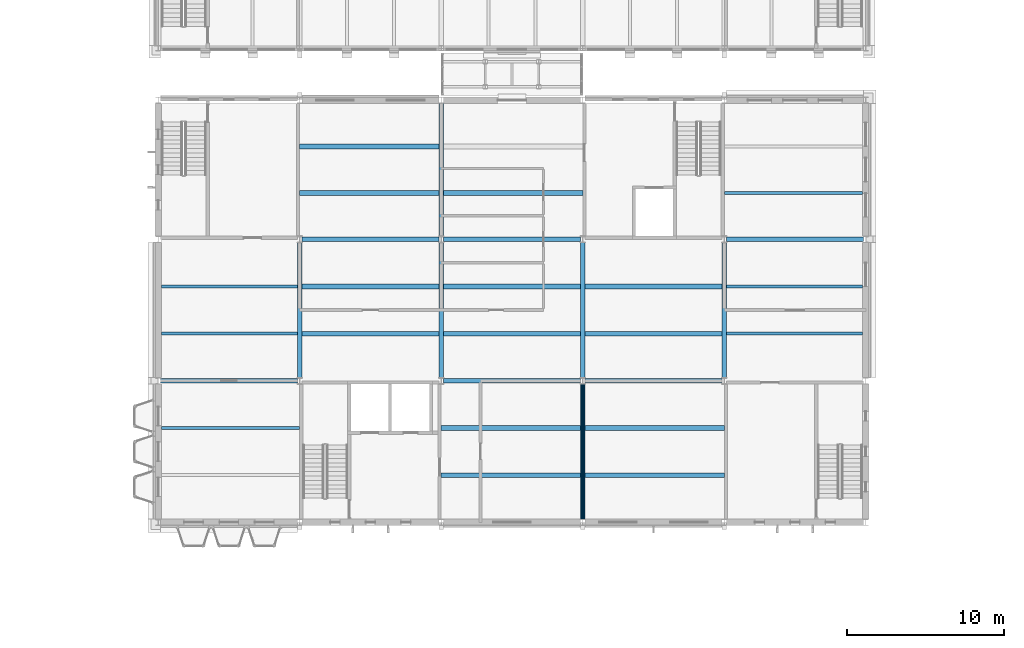
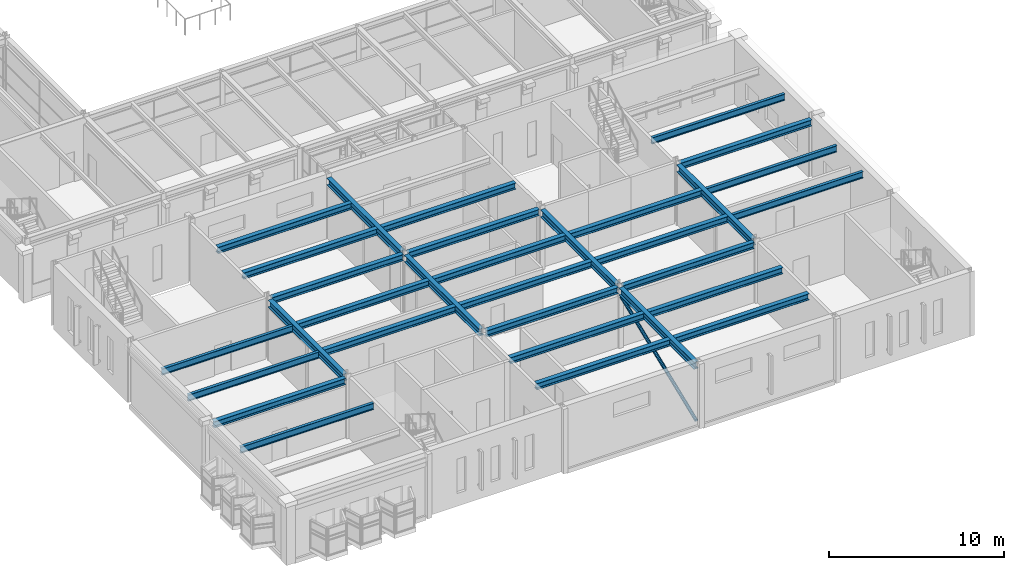
# One storey, part 29 of 153: 31 beams, 1 member.
"""IFC4 building model written with IfcOpenShell, lengths in metres."""

from ifc_helpers import new_model, si_unit, direction, frame, origin, origin_2d, place, context, subcontext, project, spatial, hollow_circle, i_section, extrude, material, material_profile, profile_set, type_object, element, save


model = new_model("IFC4")

# Units and contexts
model_context = context("Model", 3, precision=1e-05, world=origin(), true_north=direction((0.0, 1.0)))
body_context = subcontext(model_context, "Body", "Model", "MODEL_VIEW")
ifc_project = project(units=[si_unit("LENGTHUNIT", "METRE"), si_unit("AREAUNIT", "SQUARE_METRE"), si_unit("VOLUMEUNIT", "CUBIC_METRE"), si_unit("PLANEANGLEUNIT", "RADIAN"), si_unit("MASSUNIT", "GRAM", prefix="KILO")], contexts=[model_context])

# Site, building, storey
site_placement = place(None, origin())
site = spatial("IfcSite", under=ifc_project, at=site_placement, CompositionType="ELEMENT")
building_placement = place(site_placement, origin())
building = spatial("IfcBuilding", under=site, at=building_placement, Name="Kallimachos Central Library", CompositionType="ELEMENT")
storey_placement = place(building_placement, frame((0.0, 0.0, 5.39990234375)))
storey = spatial("IfcBuildingStorey", under=building, at=storey_placement, Name="L01", CompositionType="ELEMENT", Elevation=5.39990234375)

# Member
ifc_material_1 = material(Name="Steel S355J2H", Category="steel")
ifc_material_profile_1 = material_profile(ifc_material_1, hollow_circle(Radius=0.109619140625, WallThickness=0.012451171875, at=origin_2d()), Name="CHS 219.1x12.5")
ifc_profile_set_1 = profile_set([ifc_material_profile_1], Name="Steel S355J2H")
member_type = type_object("IfcMemberType", Name="CHS 219.1x12.5 brace", PredefinedType="BRACE", material=ifc_profile_set_1)
member_placement = place(storey_placement, frame((92.5, 18.199951171875, 0.150146484375), z_axis=(0.0, 0.92786574412, 0.372914414965), x_axis=(-1.0, 0.0, 0.0)))
element("IfcMember", 1, at=member_placement, inside=storey, type_object=member_type, Name="V5-MEM-L01-001", PredefinedType="BRACE", context=body_context, shape_type="SweptSolid", body=[
    extrude(hollow_circle(Radius=0.109619140625, WallThickness=0.012451171875, at=origin_2d()), origin(), (0.0, 0.0, 1.0), 9.251220703125),
])

# Beams
ifc_material_2 = material(Name="Steel S355J2", Category="steel")
ifc_material_profile_2 = material_profile(ifc_material_2, i_section(OverallWidth=0.300048828125, OverallDepth=0.43994140625, WebThickness=0.011474609375, FlangeThickness=0.02099609375, FilletRadius=0.027099609375, at=origin_2d()), Name="HEA 450")
ifc_profile_set_2 = profile_set([ifc_material_profile_2], Name="Steel S355J2")
beam_type_1 = type_object("IfcBeamType", Name="HEA 450 beam", PredefinedType="BEAM", material=ifc_profile_set_2)
beam_1_placement = place(storey_placement, frame((65.64990234375, 27.0, 3.97998046875), z_axis=(1.0, 0.0, 0.0), x_axis=(0.0, 1.0, 0.0)))
element("IfcBeam", 2, at=beam_1_placement, inside=storey, type_object=beam_type_1, Name="V5-BEM-L01-001", PredefinedType="BEAM", context=body_context, shape_type="SweptSolid", body=[
    extrude(i_section(OverallWidth=0.300048828125, OverallDepth=0.43994140625, WebThickness=0.011474609375, FlangeThickness=0.02099609375, FilletRadius=0.027099609375, at=origin_2d()), origin(), (0.0, 0.0, 1.0), 8.696533203125),
])
for number, where, z_axis, x_axis, name in (
    (3, (83.653564453125, 27.0, 4.030029296875), (1.0, 0.0, 0.0), (0.0, 1.0, 0.0), "V5-BEM-L01-002"),
    (4, (92.653564453125, 27.0, 4.030029296875), (1.0, 0.0, 0.0), (0.0, 1.0, 0.0), "V5-BEM-L01-003"),
    (5, (74.653564453125, 36.0, 4.030029296875), (1.0, 0.0, 0.0), (0.0, 1.0, 0.0), "V5-BEM-L01-004"),
    (6, (83.653564453125, 36.0, 4.030029296875), (1.0, 0.0, 0.0), (0.0, 1.0, 0.0), "V5-BEM-L01-005"),
):
    element("IfcBeam", number, at=place(storey_placement, frame(where, z_axis=z_axis, x_axis=x_axis)), inside=storey, type_object=beam_type_1, Name=name, PredefinedType="BEAM", context=body_context, shape_type="SweptSolid", body=[
        extrude(i_section(OverallWidth=0.300048828125, OverallDepth=0.43994140625, WebThickness=0.011474609375, FlangeThickness=0.02099609375, FilletRadius=0.027099609375, at=origin_2d()), origin(), (0.0, 0.0, 1.0), 8.69287109375),
    ])
beam_2_placement = place(storey_placement, frame((101.653564453125, 36.0, 3.97998046875), z_axis=(1.0, 0.0, 0.0), x_axis=(0.0, 1.0, 0.0)))
element("IfcBeam", 7, at=beam_2_placement, inside=storey, type_object=beam_type_1, Name="V5-BEM-L01-006", PredefinedType="BEAM", context=body_context, shape_type="SweptSolid", body=[
    extrude(i_section(OverallWidth=0.300048828125, OverallDepth=0.43994140625, WebThickness=0.011474609375, FlangeThickness=0.02099609375, FilletRadius=0.027099609375, at=origin_2d()), origin(), (0.0, 0.0, 1.0), 8.696533203125),
])
for number, where, z_axis, x_axis, name in (
    (8, (74.64990234375, 30.0, 4.030029296875), (1.0, 0.0, 0.0), (0.0, 1.0, 0.0), "V5-BEM-L01-017"),
    (9, (74.64990234375, 33.0, 4.030029296875), (1.0, 0.0, 0.0), (0.0, 1.0, 0.0), "V5-BEM-L01-018"),
):
    element("IfcBeam", number, at=place(storey_placement, frame(where, z_axis=z_axis, x_axis=x_axis)), inside=storey, type_object=beam_type_1, Name=name, PredefinedType="BEAM", context=body_context, shape_type="SweptSolid", body=[
        extrude(i_section(OverallWidth=0.300048828125, OverallDepth=0.43994140625, WebThickness=0.011474609375, FlangeThickness=0.02099609375, FilletRadius=0.027099609375, at=origin_2d()), origin(), (0.0, 0.0, 1.0), 8.7001953125),
    ])
for number, where, z_axis, x_axis, name in (
    (10, (74.5, 38.949951171875, 4.030029296875), (1.0, 0.0, 0.0), (0.0, 1.0, 0.0), "V5-BEM-L01-019"),
    (11, (74.5, 41.89990234375, 4.030029296875), (1.0, 0.0, 0.0), (0.0, 1.0, 0.0), "V5-BEM-L01-020"),
    (12, (83.5, 21.0, 4.030029296875), (1.0, 0.0, 0.0), (0.0, 1.0, 0.0), "V5-BEM-L01-021"),
    (13, (83.5, 24.0, 4.030029296875), (1.0, 0.0, 0.0), (0.0, 1.0, 0.0), "V5-BEM-L01-022"),
):
    element("IfcBeam", number, at=place(storey_placement, frame(where, z_axis=z_axis, x_axis=x_axis)), inside=storey, type_object=beam_type_1, Name=name, PredefinedType="BEAM", context=body_context, shape_type="SweptSolid", body=[
        extrude(i_section(OverallWidth=0.300048828125, OverallDepth=0.43994140625, WebThickness=0.011474609375, FlangeThickness=0.02099609375, FilletRadius=0.027099609375, at=origin_2d()), origin(), (0.0, 0.0, 1.0), 8.85009765625),
    ])
for number, where, z_axis, x_axis, name in (
    (14, (83.64990234375, 30.0, 4.030029296875), (1.0, 0.0, 0.0), (0.0, 1.0, 0.0), "V5-BEM-L01-023"),
    (15, (83.64990234375, 33.0, 4.030029296875), (1.0, 0.0, 0.0), (0.0, 1.0, 0.0), "V5-BEM-L01-024"),
):
    element("IfcBeam", number, at=place(storey_placement, frame(where, z_axis=z_axis, x_axis=x_axis)), inside=storey, type_object=beam_type_1, Name=name, PredefinedType="BEAM", context=body_context, shape_type="SweptSolid", body=[
        extrude(i_section(OverallWidth=0.300048828125, OverallDepth=0.43994140625, WebThickness=0.011474609375, FlangeThickness=0.02099609375, FilletRadius=0.027099609375, at=origin_2d()), origin(), (0.0, 0.0, 1.0), 8.7001953125),
    ])
for number, where, z_axis, x_axis, name in (
    (16, (83.64990234375, 38.949951171875, 4.030029296875), (1.0, 0.0, 0.0), (0.0, 1.0, 0.0), "V5-BEM-L01-025"),
    (17, (92.64990234375, 21.0, 4.030029296875), (1.0, 0.0, 0.0), (0.0, 1.0, 0.0), "V5-BEM-L01-027"),
    (18, (92.64990234375, 24.0, 4.030029296875), (1.0, 0.0, 0.0), (0.0, 1.0, 0.0), "V5-BEM-L01-028"),
):
    element("IfcBeam", number, at=place(storey_placement, frame(where, z_axis=z_axis, x_axis=x_axis)), inside=storey, type_object=beam_type_1, Name=name, PredefinedType="BEAM", context=body_context, shape_type="SweptSolid", body=[
        extrude(i_section(OverallWidth=0.300048828125, OverallDepth=0.43994140625, WebThickness=0.011474609375, FlangeThickness=0.02099609375, FilletRadius=0.027099609375, at=origin_2d()), origin(), (0.0, 0.0, 1.0), 8.85009765625),
    ])
for number, where, z_axis, x_axis, name in (
    (19, (92.64990234375, 30.0, 4.030029296875), (1.0, 0.0, 0.0), (0.0, 1.0, 0.0), "V5-BEM-L01-029"),
    (20, (92.64990234375, 33.0, 4.030029296875), (1.0, 0.0, 0.0), (0.0, 1.0, 0.0), "V5-BEM-L01-030"),
):
    element("IfcBeam", number, at=place(storey_placement, frame(where, z_axis=z_axis, x_axis=x_axis)), inside=storey, type_object=beam_type_1, Name=name, PredefinedType="BEAM", context=body_context, shape_type="SweptSolid", body=[
        extrude(i_section(OverallWidth=0.300048828125, OverallDepth=0.43994140625, WebThickness=0.011474609375, FlangeThickness=0.02099609375, FilletRadius=0.027099609375, at=origin_2d()), origin(), (0.0, 0.0, 1.0), 8.7001953125),
    ])
ifc_material_3 = material(Name="Steel S355J2", Category="steel")
ifc_material_profile_3 = material_profile(ifc_material_3, i_section(OverallWidth=0.300048828125, OverallDepth=0.5, WebThickness=0.014404296875, FlangeThickness=0.028076171875, FilletRadius=0.027099609375, at=origin_2d()), Name="HEB 500")
ifc_profile_set_3 = profile_set([ifc_material_profile_3], Name="Steel S355J2")
beam_type_2 = type_object("IfcBeamType", Name="HEB 500 beam", PredefinedType="BEAM", material=ifc_profile_set_3)
for number, where, z_axis, x_axis, name in (
    (21, (74.5, 27.216064453125, 4.0), (0.0, 1.0, 0.0), (-1.0, 0.0, 0.0), "V5-BEM-L01-007"),
    (22, (83.5, 27.216064453125, 4.0), (0.0, 1.0, 0.0), (-1.0, 0.0, 0.0), "V5-BEM-L01-008"),
):
    element("IfcBeam", number, at=place(storey_placement, frame(where, z_axis=z_axis, x_axis=x_axis)), inside=storey, type_object=beam_type_2, Name=name, PredefinedType="BEAM", context=body_context, shape_type="SweptSolid", body=[
        extrude(i_section(OverallWidth=0.300048828125, OverallDepth=0.5, WebThickness=0.014404296875, FlangeThickness=0.028076171875, FilletRadius=0.027099609375, at=origin_2d()), origin(), (0.0, 0.0, 1.0), 8.56787109375),
    ])
beam_3_placement = place(storey_placement, frame((83.5, 36.216064453125, 4.0), z_axis=(0.0, 1.0, 0.0), x_axis=(-1.0, 0.0, 0.0)))
element("IfcBeam", 23, at=beam_3_placement, inside=storey, type_object=beam_type_2, Name="V5-BEM-L01-009", PredefinedType="BEAM", context=body_context, shape_type="SweptSolid", body=[
    extrude(i_section(OverallWidth=0.300048828125, OverallDepth=0.5, WebThickness=0.014404296875, FlangeThickness=0.028076171875, FilletRadius=0.027099609375, at=origin_2d()), origin(), (0.0, 0.0, 1.0), 8.433837890625),
])
beam_4_placement = place(storey_placement, frame((92.5, 18.199951171875, 4.0), z_axis=(0.0, 1.0, 0.0), x_axis=(-1.0, 0.0, 0.0)))
element("IfcBeam", 24, at=beam_4_placement, inside=storey, type_object=beam_type_2, Name="V5-BEM-L01-010", PredefinedType="BEAM", context=body_context, shape_type="SweptSolid", body=[
    extrude(i_section(OverallWidth=0.300048828125, OverallDepth=0.5, WebThickness=0.014404296875, FlangeThickness=0.028076171875, FilletRadius=0.027099609375, at=origin_2d()), origin(), (0.0, 0.0, 1.0), 8.583984375),
])
for number, where, z_axis, x_axis, name in (
    (25, (92.5, 27.216064453125, 4.0), (0.0, 1.0, 0.0), (-1.0, 0.0, 0.0), "V5-BEM-L01-011"),
    (26, (101.5, 27.216064453125, 4.0), (0.0, 1.0, 0.0), (-1.0, 0.0, 0.0), "V5-BEM-L01-012"),
):
    element("IfcBeam", number, at=place(storey_placement, frame(where, z_axis=z_axis, x_axis=x_axis)), inside=storey, type_object=beam_type_2, Name=name, PredefinedType="BEAM", context=body_context, shape_type="SweptSolid", body=[
        extrude(i_section(OverallWidth=0.300048828125, OverallDepth=0.5, WebThickness=0.014404296875, FlangeThickness=0.028076171875, FilletRadius=0.027099609375, at=origin_2d()), origin(), (0.0, 0.0, 1.0), 8.56787109375),
    ])
ifc_material_4 = material(Name="Steel S355J2", Category="steel")
ifc_material_profile_4 = material_profile(ifc_material_4, i_section(OverallWidth=0.18994140625, OverallDepth=0.449951171875, WebThickness=0.009521484375, FlangeThickness=0.0146484375, FilletRadius=0.02099609375, at=origin_2d()), Name="IPE 450")
ifc_profile_set_4 = profile_set([ifc_material_profile_4], Name="Steel S355J2")
beam_type_3 = type_object("IfcBeamType", Name="IPE 450 beam", PredefinedType="BEAM", material=ifc_profile_set_4)
beam_5_placement = place(storey_placement, frame((65.699951171875, 24.0, 3.97509765625), z_axis=(1.0, 0.0, 0.0), x_axis=(0.0, 1.0, 0.0)))
element("IfcBeam", 27, at=beam_5_placement, inside=storey, type_object=beam_type_3, Name="V5-BEM-L01-014", PredefinedType="BEAM", context=body_context, shape_type="SweptSolid", body=[
    extrude(i_section(OverallWidth=0.18994140625, OverallDepth=0.449951171875, WebThickness=0.009521484375, FlangeThickness=0.0146484375, FilletRadius=0.02099609375, at=origin_2d()), origin(), (0.0, 0.0, 1.0), 8.800048828125),
])
for number, where, z_axis, x_axis, name in (
    (28, (65.699951171875, 30.0, 3.97509765625), (1.0, 0.0, 0.0), (0.0, 1.0, 0.0), "V5-BEM-L01-015"),
    (29, (65.699951171875, 33.0, 3.97509765625), (1.0, 0.0, 0.0), (0.0, 1.0, 0.0), "V5-BEM-L01-016"),
    (30, (101.64990234375, 30.0, 3.97509765625), (1.0, 0.0, 0.0), (0.0, 1.0, 0.0), "V5-BEM-L01-031"),
    (31, (101.64990234375, 33.0, 3.97509765625), (1.0, 0.0, 0.0), (0.0, 1.0, 0.0), "V5-BEM-L01-032"),
):
    element("IfcBeam", number, at=place(storey_placement, frame(where, z_axis=z_axis, x_axis=x_axis)), inside=storey, type_object=beam_type_3, Name=name, PredefinedType="BEAM", context=body_context, shape_type="SweptSolid", body=[
        extrude(i_section(OverallWidth=0.18994140625, OverallDepth=0.449951171875, WebThickness=0.009521484375, FlangeThickness=0.0146484375, FilletRadius=0.02099609375, at=origin_2d()), origin(), (0.0, 0.0, 1.0), 8.650146484375),
    ])
beam_6_placement = place(storey_placement, frame((101.5, 38.949951171875, 3.97509765625), z_axis=(1.0, 0.0, 0.0), x_axis=(0.0, 1.0, 0.0)))
element("IfcBeam", 32, at=beam_6_placement, inside=storey, type_object=beam_type_3, Name="V5-BEM-L01-033", PredefinedType="BEAM", context=body_context, shape_type="SweptSolid", body=[
    extrude(i_section(OverallWidth=0.18994140625, OverallDepth=0.449951171875, WebThickness=0.009521484375, FlangeThickness=0.0146484375, FilletRadius=0.02099609375, at=origin_2d()), origin(), (0.0, 0.0, 1.0), 8.800048828125),
])

save(model, "model.ifc")
